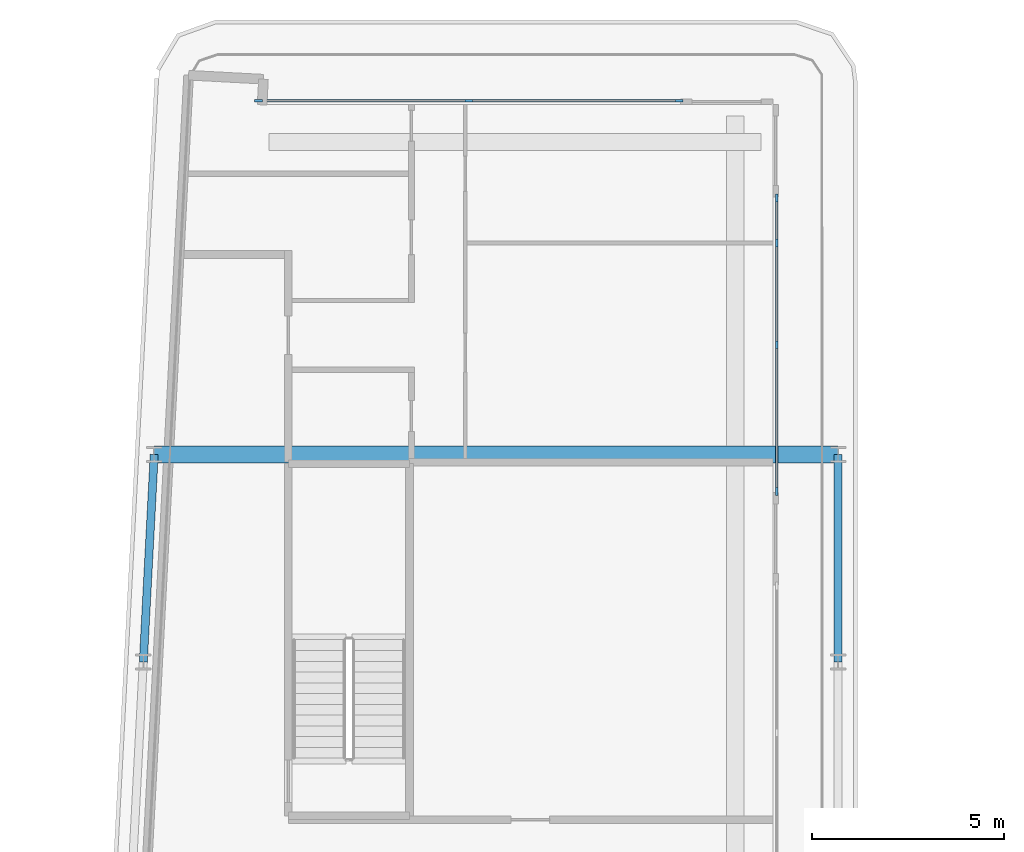
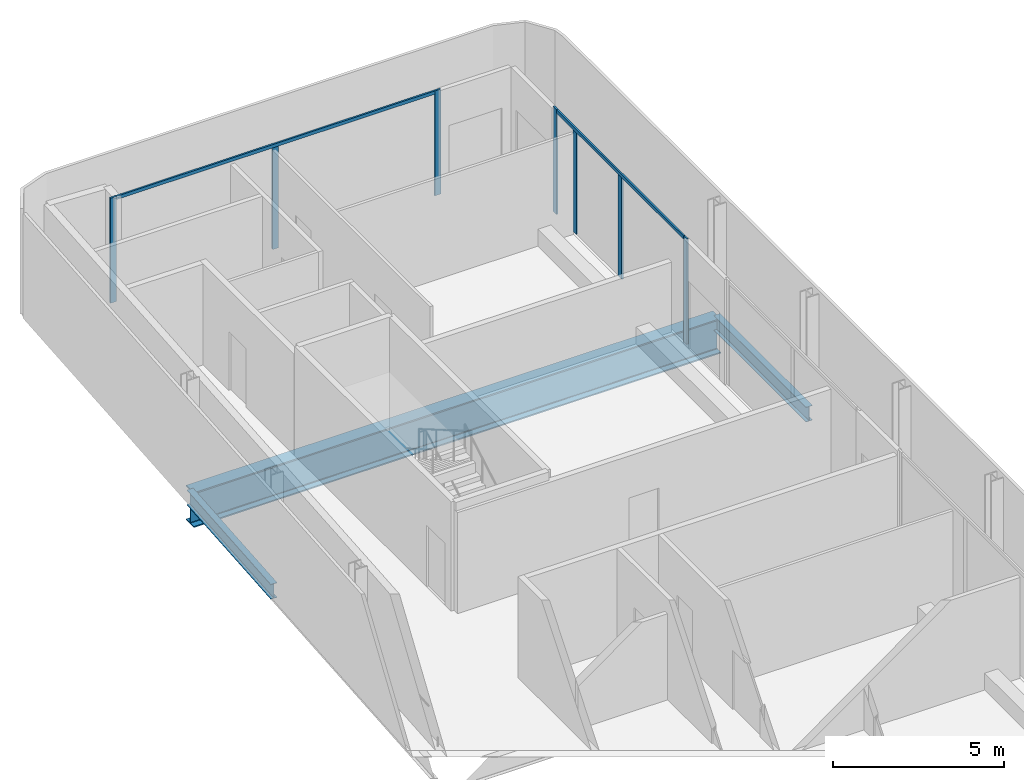
# One storey, part 7 of 23: 9 members, 3 beams, 2 elements without a shape of their own.
"""IFC4 building model written with IfcOpenShell, lengths in metres."""

from ifc_helpers import new_model, si_unit, direction, frame, origin, origin_2d, place, context, subcontext, project, spatial, rectangle, i_section, extrude, material, layer, layer_set, material_profile, profile_set, type_object, element, aggregate, save


model = new_model("IFC4")

# Units and contexts
model_context = context("Model", 3, precision=1e-05, world=origin(), true_north=direction((0.0, 1.0)))
body_context = subcontext(model_context, "Body", "Model", "MODEL_VIEW")
ifc_project = project(units=[si_unit("LENGTHUNIT", "METRE"), si_unit("AREAUNIT", "SQUARE_METRE"), si_unit("VOLUMEUNIT", "CUBIC_METRE"), si_unit("PLANEANGLEUNIT", "RADIAN"), si_unit("MASSUNIT", "GRAM", prefix="KILO")], contexts=[model_context])

# Site, building, storey
site_placement = place(None, origin())
site = spatial("IfcSite", under=ifc_project, at=site_placement, CompositionType="ELEMENT")
building_placement = place(site_placement, origin())
building = spatial("IfcBuilding", under=site, at=building_placement, Name="Kheshtan School and Residences Tower", CompositionType="ELEMENT")
storey_placement = place(building_placement, frame((0.0, 0.0, 259.10009765625)))
storey = spatial("IfcBuildingStorey", under=building, at=storey_placement, Name="L61", CompositionType="ELEMENT", Elevation=259.10009765625)

# Beams
ifc_material_1 = material(Name="Steel ASTM A992 Grade 50", Category="steel")
ifc_material_profile_1 = material_profile(ifc_material_1, i_section(OverallWidth=0.208984375, OverallDepth=0.532958984375, WebThickness=0.01025390625, FlangeThickness=0.015625, FilletRadius=0.013916015625, at=origin_2d()), Name="W530x92")
ifc_profile_set_1 = profile_set([ifc_material_profile_1], Name="Steel ASTM A992 Grade 50")
beam_type_1 = type_object("IfcBeamType", Name="Beam SP3 W530x92 ASTM A992 Grade 50", PredefinedType="BEAM", material=ifc_profile_set_1)
beam_1_placement = place(storey_placement, frame((47.60009765625, 88.800048828125, -0.41650390625), z_axis=(0.0, -1.0, 0.0), x_axis=(1.0, 0.0, 0.0)))
element("IfcBeam", 1, at=beam_1_placement, inside=storey, type_object=beam_type_1, Name="Spandrel beam C099-C091", PredefinedType="BEAM", context=body_context, shape_type="SweptSolid", body=[
    extrude(i_section(OverallWidth=0.208984375, OverallDepth=0.532958984375, WebThickness=0.01025390625, FlangeThickness=0.015625, FilletRadius=0.013916015625, at=origin_2d()), origin(), (0.0, 0.0, 1.0), 5.400146484375),
])
beam_2_placement = place(storey_placement, frame((29.527099609375, 83.39990234375, -0.41650390625), z_axis=(0.05250670125, 0.998620571751, 0.0), x_axis=(-0.998620571751, 0.05250670125, 0.0)))
element("IfcBeam", 2, at=beam_2_placement, inside=storey, type_object=beam_type_1, Name="Spandrel beam C090-C098", PredefinedType="BEAM", context=body_context, shape_type="SweptSolid", body=[
    extrude(i_section(OverallWidth=0.208984375, OverallDepth=0.532958984375, WebThickness=0.01025390625, FlangeThickness=0.015625, FilletRadius=0.013916015625, at=origin_2d()), origin(), (0.0, 0.0, 1.0), 5.40771484375),
])

# Curtain wall, members
ifc_material_2 = material(Name="Clear low-e glass in thermally broken aluminium frame", Category="aluminium")
ifc_layer = layer(ifc_material_2, 0.199951171875)
ifc_layer_set = layer_set([ifc_layer], Name="Curtain wall CW-L")
curtain_wall_type = type_object("IfcCurtainWallType", Name="Curtain wall CW-L", PredefinedType="NOTDEFINED", material=ifc_layer_set)
curtain_wall_1_placement = place(storey_placement, origin())
curtain_wall_1 = element("IfcCurtainWall", 3, at=curtain_wall_1_placement, inside=storey, type_object=curtain_wall_type, Name="Curtain wall CWL7", PredefinedType="NOTDEFINED")
ifc_material_3 = material(Name="Thermally broken aluminium, dark bronze anodised", Category="aluminium")
ifc_material_profile_2 = material_profile(ifc_material_3, rectangle(XDim=0.06005859375, YDim=0.199951171875, at=origin_2d()), Name="CW-L mullion 60x200")
ifc_profile_set_2 = profile_set([ifc_material_profile_2], Name="Thermally broken aluminium, dark bronze anodised")
member_type_1 = type_object("IfcMemberType", Name="CW-L mullion 60x200", PredefinedType="MULLION", material=ifc_profile_set_2)
member_1_placement = place(storey_placement, frame((32.52197265625, 98.0, 0.0), z_axis=(0.0, 0.0, 1.0), x_axis=(0.0, 1.0, 0.0)))
member_1 = element("IfcMember", 4, at=member_1_placement, type_object=member_type_1, Name="CWL7 mullion 1", PredefinedType="MULLION", context=body_context, shape_type="SweptSolid", body=[
    extrude(rectangle(XDim=0.06005859375, YDim=0.199951171875, at=origin_2d()), origin(), (0.0, 0.0, 1.0), 3.75),
])
member_2_placement = place(storey_placement, frame((37.99609375, 98.0, 0.0), z_axis=(0.0, 0.0, 1.0), x_axis=(0.0, 1.0, 0.0)))
member_2 = element("IfcMember", 5, at=member_2_placement, type_object=member_type_1, Name="CWL7 mullion 2", PredefinedType="MULLION", context=body_context, shape_type="SweptSolid", body=[
    extrude(rectangle(XDim=0.06005859375, YDim=0.199951171875, at=origin_2d()), origin(), (0.0, 0.0, 1.0), 3.6298828125),
])
member_3_placement = place(storey_placement, frame((43.469970703125, 98.0, 0.0), z_axis=(0.0, 0.0, 1.0), x_axis=(0.0, 1.0, 0.0)))
member_3 = element("IfcMember", 6, at=member_3_placement, type_object=member_type_1, Name="CWL7 mullion 3", PredefinedType="MULLION", context=body_context, shape_type="SweptSolid", body=[
    extrude(rectangle(XDim=0.06005859375, YDim=0.199951171875, at=origin_2d()), origin(), (0.0, 0.0, 1.0), 3.75),
])

curtain_wall_2_placement = place(storey_placement, origin())
curtain_wall_2 = element("IfcCurtainWall", 7, at=curtain_wall_2_placement, inside=storey, type_object=curtain_wall_type, Name="Curtain wall CWL8c", PredefinedType="NOTDEFINED")
member_4_placement = place(storey_placement, frame((46.0, 95.469970703125, 0.0), z_axis=(0.0, 0.0, 1.0), x_axis=(1.0, 0.0, 0.0)))
member_4 = element("IfcMember", 8, at=member_4_placement, type_object=member_type_1, Name="CWL8c mullion 1", PredefinedType="MULLION", context=body_context, shape_type="SweptSolid", body=[
    extrude(rectangle(XDim=0.06005859375, YDim=0.199951171875, at=origin_2d()), origin(), (0.0, 0.0, 1.0), 3.75),
])
member_5_placement = place(storey_placement, frame((46.0, 94.300048828125, 0.0), z_axis=(0.0, 0.0, 1.0), x_axis=(1.0, 0.0, 0.0)))
member_5 = element("IfcMember", 9, at=member_5_placement, type_object=member_type_1, Name="CWL8c mullion 2", PredefinedType="MULLION", context=body_context, shape_type="SweptSolid", body=[
    extrude(rectangle(XDim=0.06005859375, YDim=0.199951171875, at=origin_2d()), origin(), (0.0, 0.0, 1.0), 3.6298828125),
])
member_6_placement = place(storey_placement, frame((46.0, 91.653076171875, 0.0), z_axis=(0.0, 0.0, 1.0), x_axis=(1.0, 0.0, 0.0)))
member_6 = element("IfcMember", 10, at=member_6_placement, type_object=member_type_1, Name="CWL8c mullion 3", PredefinedType="MULLION", context=body_context, shape_type="SweptSolid", body=[
    extrude(rectangle(XDim=0.06005859375, YDim=0.199951171875, at=origin_2d()), origin(), (0.0, 0.0, 1.0), 3.6298828125),
])
member_7_placement = place(storey_placement, frame((46.0, 87.8359375, 0.0), z_axis=(0.0, 0.0, 1.0), x_axis=(1.0, 0.0, 0.0)))
member_7 = element("IfcMember", 11, at=member_7_placement, type_object=member_type_1, Name="CWL8c mullion 4", PredefinedType="MULLION", context=body_context, shape_type="SweptSolid", body=[
    extrude(rectangle(XDim=0.06005859375, YDim=0.199951171875, at=origin_2d()), origin(), (0.0, 0.0, 1.0), 3.75),
])

# Member
ifc_material_profile_3 = material_profile(ifc_material_3, rectangle(XDim=0.06005859375, YDim=0.1201171875, at=origin_2d()), Name="CW-L transom 60x120")
ifc_profile_set_3 = profile_set([ifc_material_profile_3], Name="Thermally broken aluminium, dark bronze anodised")
member_type_2 = type_object("IfcMemberType", Name="CW-L transom 60x120", PredefinedType="USERDEFINED", material=ifc_profile_set_3)
member_8_placement = place(storey_placement, frame((32.552001953125, 98.0, 3.68994140625), z_axis=(1.0, 0.0, 0.0), x_axis=(0.0, 1.0, 0.0)))
member_8 = element("IfcMember", 12, at=member_8_placement, type_object=member_type_2, Name="CWL7 transom 1", ObjectType="TRANSOM", PredefinedType="USERDEFINED", context=body_context, shape_type="SweptSolid", body=[
    extrude(rectangle(XDim=0.06005859375, YDim=0.1201171875, at=origin_2d()), origin(), (0.0, 0.0, 1.0), 10.887939453125),
])

aggregate(curtain_wall_1, [member_1, member_2, member_3, member_8])

member_9_placement = place(storey_placement, frame((46.0, 95.43994140625, 3.68994140625), z_axis=(0.0, -1.0, 0.0), x_axis=(1.0, 0.0, 0.0)))
member_9 = element("IfcMember", 13, at=member_9_placement, type_object=member_type_2, Name="CWL8c transom 1", ObjectType="TRANSOM", PredefinedType="USERDEFINED", context=body_context, shape_type="SweptSolid", body=[
    extrude(rectangle(XDim=0.06005859375, YDim=0.1201171875, at=origin_2d()), origin(), (0.0, 0.0, 1.0), 7.573974609375),
])

aggregate(curtain_wall_2, [member_4, member_5, member_6, member_7, member_9])

# Beam
ifc_material_profile_4 = material_profile(ifc_material_1, i_section(OverallWidth=0.449951171875, OverallDepth=1.25, WebThickness=0.02490234375, FlangeThickness=0.044921875, FilletRadius=0.03759765625, at=origin_2d()), Name="WWF1250x546")
ifc_profile_set_4 = profile_set([ifc_material_profile_4], Name="Steel ASTM A992 Grade 50")
beam_type_2 = type_object("IfcBeamType", Name="Transfer girder TG4 WWF1250x546 ASTM A992 Grade 50", PredefinedType="BEAM", material=ifc_profile_set_4)
beam_3_placement = place(storey_placement, frame((29.81103515625, 88.800048828125, -0.775146484375), z_axis=(1.0, 0.0, 0.0), x_axis=(0.0, 1.0, 0.0)))
element("IfcBeam", 14, at=beam_3_placement, inside=storey, type_object=beam_type_2, Name="Transfer girder C098-C099", PredefinedType="BEAM", context=body_context, shape_type="SweptSolid", body=[
    extrude(i_section(OverallWidth=0.449951171875, OverallDepth=1.25, WebThickness=0.02490234375, FlangeThickness=0.044921875, FilletRadius=0.03759765625, at=origin_2d()), origin(), (0.0, 0.0, 1.0), 17.7890625),
])

save(model, "model.ifc")
